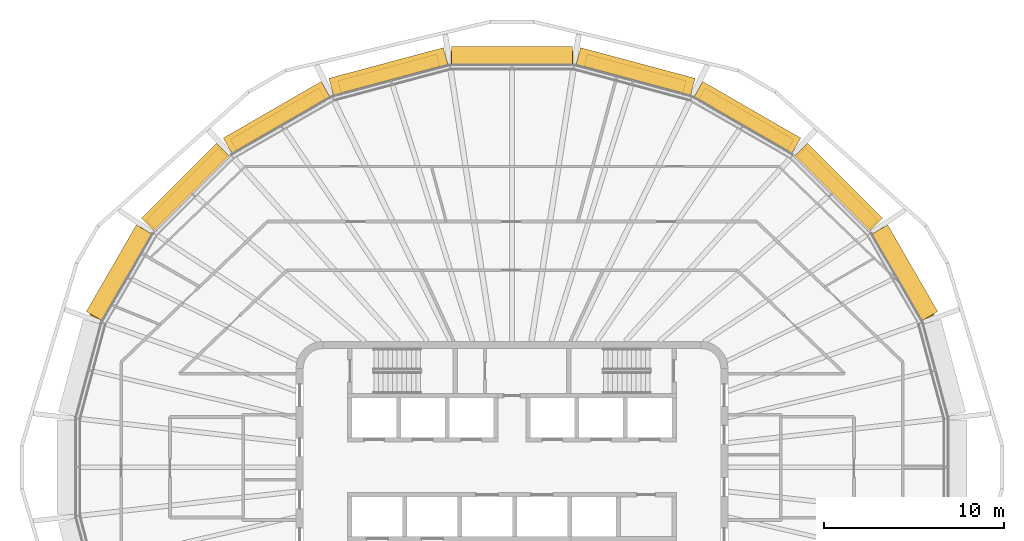
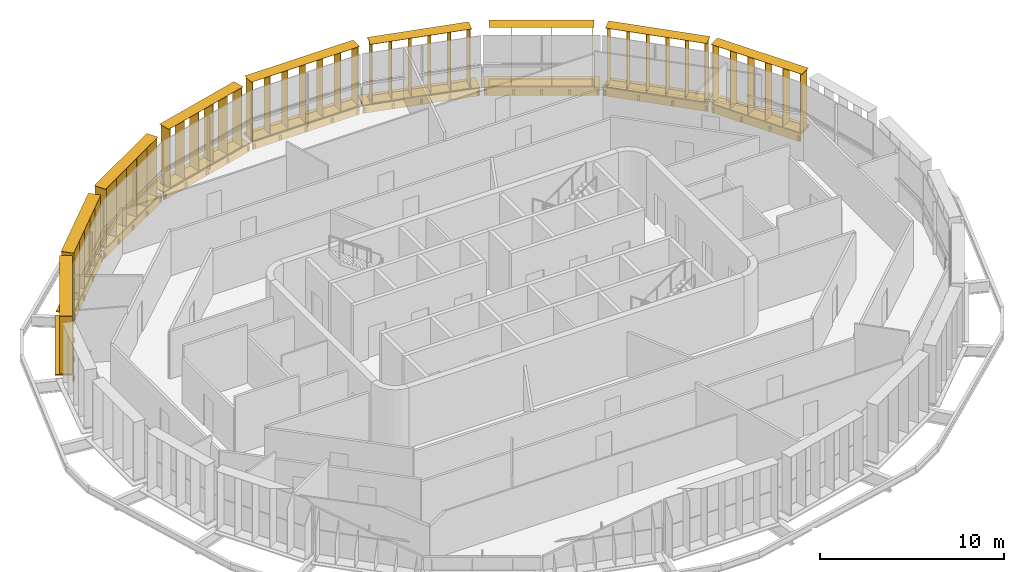
# One storey, part 18 of 18: 18 shading devices.
"""IFC4 building model written with IfcOpenShell, lengths in metres."""

from ifc_helpers import new_model, si_unit, direction, frame, origin, origin_2d, place, context, subcontext, project, spatial, rectangle, extrude, material, type_object, element, save


model = new_model("IFC4")

# Units and contexts
model_context = context("Model", 3, precision=1e-05, world=origin(), true_north=direction((0.0, 1.0)))
body_context = subcontext(model_context, "Body", "Model", "MODEL_VIEW")
ifc_project = project(units=[si_unit("LENGTHUNIT", "METRE"), si_unit("AREAUNIT", "SQUARE_METRE"), si_unit("VOLUMEUNIT", "CUBIC_METRE"), si_unit("PLANEANGLEUNIT", "RADIAN"), si_unit("MASSUNIT", "GRAM", prefix="KILO")], contexts=[model_context])

# Site, building, storey
site_placement = place(None, origin())
site = spatial("IfcSite", under=ifc_project, at=site_placement, CompositionType="ELEMENT")
building_placement = place(site_placement, origin())
building = spatial("IfcBuilding", under=site, at=building_placement, Name="Sahrelin Media Tower", CompositionType="ELEMENT")
storey_placement = place(building_placement, frame((0.0, 0.0, 320.39990234375)))
storey = spatial("IfcBuildingStorey", under=building, at=storey_placement, Name="L71", CompositionType="ELEMENT", Elevation=320.39990234375)

# Shading devices
ifc_material = material(Name="Champagne anodised aluminium 6063-T6", Category="aluminium")
shading_device_type_1 = type_object("IfcShadingDeviceType", Name="Fin cassette", PredefinedType="USERDEFINED", material=ifc_material)
placement_1 = place(storey_placement, frame((21.37451171875, 10.5458984375, 0.0), z_axis=(0.0, 0.0, 1.0), x_axis=(0.500011000363, -0.866019052629, 0.0)))
element("IfcShadingDevice", 1, at=placement_1, inside=storey, type_object=shading_device_type_1, Name="L71:FIN:L71-02", ObjectType="FIN", PredefinedType="USERDEFINED", context=body_context, shape_type="SweptSolid", body=[
    extrude(rectangle(XDim=5.699951171875, YDim=0.699951171875, at=origin_2d()), frame((0.0, 0.419921875, 0.0)), (0.0, 0.0, 1.0), 0.02001953125),
    extrude(rectangle(XDim=5.699951171875, YDim=0.699951171875, at=origin_2d()), frame((0.0, 0.419921875, 3.89990234375)), (0.0, 0.0, 1.0), 0.02001953125),
    extrude(rectangle(XDim=0.02001953125, YDim=0.699951171875, at=origin_2d()), frame((-2.75, 0.419921875, 0.010009765625), z_axis=(0.0, 0.0, 1.0), x_axis=(1.0, 0.0, 0.0)), (0.0, 0.0, 1.0), 3.89990234375),
    extrude(rectangle(XDim=0.02001953125, YDim=0.699951171875, at=origin_2d()), frame((-1.64990234375, 0.419921875, 0.010009765625), z_axis=(0.0, 0.0, 1.0), x_axis=(1.0, 0.0, 0.0)), (0.0, 0.0, 1.0), 3.89990234375),
    extrude(rectangle(XDim=0.02001953125, YDim=0.699951171875, at=origin_2d()), frame((-0.550048828125, 0.419921875, 0.010009765625), z_axis=(0.0, 0.0, 1.0), x_axis=(1.0, 0.0, 0.0)), (0.0, 0.0, 1.0), 3.89990234375),
    extrude(rectangle(XDim=0.02001953125, YDim=0.699951171875, at=origin_2d()), frame((0.550048828125, 0.419921875, 0.010009765625), z_axis=(0.0, 0.0, 1.0), x_axis=(1.0, 0.0, 0.0)), (0.0, 0.0, 1.0), 3.89990234375),
    extrude(rectangle(XDim=0.02001953125, YDim=0.699951171875, at=origin_2d()), frame((1.64990234375, 0.419921875, 0.010009765625), z_axis=(0.0, 0.0, 1.0), x_axis=(1.0, 0.0, 0.0)), (0.0, 0.0, 1.0), 3.89990234375),
    extrude(rectangle(XDim=0.02001953125, YDim=0.699951171875, at=origin_2d()), frame((2.75, 0.419921875, 0.010009765625), z_axis=(0.0, 0.0, 1.0), x_axis=(1.0, 0.0, 0.0)), (0.0, 0.0, 1.0), 3.89990234375),
])
placement_2 = place(storey_placement, frame((17.7783203125, 15.195556640625, 0.0), z_axis=(0.0, 0.0, 1.0), x_axis=(0.707106781187, -0.707106781187, 0.0)))
element("IfcShadingDevice", 2, at=placement_2, inside=storey, type_object=shading_device_type_1, Name="L71:FIN:L71-03", ObjectType="FIN", PredefinedType="USERDEFINED", context=body_context, shape_type="SweptSolid", body=[
    extrude(rectangle(XDim=5.699951171875, YDim=0.699951171875, at=origin_2d()), frame((0.0, 0.419921875, 0.0)), (0.0, 0.0, 1.0), 0.02001953125),
    extrude(rectangle(XDim=5.699951171875, YDim=0.699951171875, at=origin_2d()), frame((0.0, 0.419921875, 3.89990234375)), (0.0, 0.0, 1.0), 0.02001953125),
    extrude(rectangle(XDim=0.02001953125, YDim=0.699951171875, at=origin_2d()), frame((-2.75, 0.419921875, 0.010009765625), z_axis=(0.0, 0.0, 1.0), x_axis=(1.0, 0.0, 0.0)), (0.0, 0.0, 1.0), 3.89990234375),
    extrude(rectangle(XDim=0.02001953125, YDim=0.699951171875, at=origin_2d()), frame((-1.64990234375, 0.419921875, 0.010009765625), z_axis=(0.0, 0.0, 1.0), x_axis=(1.0, 0.0, 0.0)), (0.0, 0.0, 1.0), 3.89990234375),
    extrude(rectangle(XDim=0.02001953125, YDim=0.699951171875, at=origin_2d()), frame((-0.550048828125, 0.419921875, 0.010009765625), z_axis=(0.0, 0.0, 1.0), x_axis=(1.0, 0.0, 0.0)), (0.0, 0.0, 1.0), 3.89990234375),
    extrude(rectangle(XDim=0.02001953125, YDim=0.699951171875, at=origin_2d()), frame((0.550048828125, 0.419921875, 0.010009765625), z_axis=(0.0, 0.0, 1.0), x_axis=(1.0, 0.0, 0.0)), (0.0, 0.0, 1.0), 3.89990234375),
    extrude(rectangle(XDim=0.02001953125, YDim=0.699951171875, at=origin_2d()), frame((1.64990234375, 0.419921875, 0.010009765625), z_axis=(0.0, 0.0, 1.0), x_axis=(1.0, 0.0, 0.0)), (0.0, 0.0, 1.0), 3.89990234375),
    extrude(rectangle(XDim=0.02001953125, YDim=0.699951171875, at=origin_2d()), frame((2.75, 0.419921875, 0.010009765625), z_axis=(0.0, 0.0, 1.0), x_axis=(1.0, 0.0, 0.0)), (0.0, 0.0, 1.0), 3.89990234375),
])
placement_3 = place(storey_placement, frame((12.813720703125, 18.973876953125, 0.0), z_axis=(0.0, 0.0, 1.0), x_axis=(0.866019052629, -0.500011000363, 0.0)))
element("IfcShadingDevice", 3, at=placement_3, inside=storey, type_object=shading_device_type_1, Name="L71:FIN:L71-04", ObjectType="FIN", PredefinedType="USERDEFINED", context=body_context, shape_type="SweptSolid", body=[
    extrude(rectangle(XDim=5.699951171875, YDim=0.699951171875, at=origin_2d()), frame((0.0, 0.419921875, 0.0)), (0.0, 0.0, 1.0), 0.02001953125),
    extrude(rectangle(XDim=5.699951171875, YDim=0.699951171875, at=origin_2d()), frame((0.0, 0.419921875, 3.89990234375)), (0.0, 0.0, 1.0), 0.02001953125),
    extrude(rectangle(XDim=0.02001953125, YDim=0.699951171875, at=origin_2d()), frame((-2.75, 0.419921875, 0.010009765625), z_axis=(0.0, 0.0, 1.0), x_axis=(1.0, 0.0, 0.0)), (0.0, 0.0, 1.0), 3.89990234375),
    extrude(rectangle(XDim=0.02001953125, YDim=0.699951171875, at=origin_2d()), frame((-1.64990234375, 0.419921875, 0.010009765625), z_axis=(0.0, 0.0, 1.0), x_axis=(1.0, 0.0, 0.0)), (0.0, 0.0, 1.0), 3.89990234375),
    extrude(rectangle(XDim=0.02001953125, YDim=0.699951171875, at=origin_2d()), frame((-0.550048828125, 0.419921875, 0.010009765625), z_axis=(0.0, 0.0, 1.0), x_axis=(1.0, 0.0, 0.0)), (0.0, 0.0, 1.0), 3.89990234375),
    extrude(rectangle(XDim=0.02001953125, YDim=0.699951171875, at=origin_2d()), frame((0.550048828125, 0.419921875, 0.010009765625), z_axis=(0.0, 0.0, 1.0), x_axis=(1.0, 0.0, 0.0)), (0.0, 0.0, 1.0), 3.89990234375),
    extrude(rectangle(XDim=0.02001953125, YDim=0.699951171875, at=origin_2d()), frame((1.64990234375, 0.419921875, 0.010009765625), z_axis=(0.0, 0.0, 1.0), x_axis=(1.0, 0.0, 0.0)), (0.0, 0.0, 1.0), 3.89990234375),
    extrude(rectangle(XDim=0.02001953125, YDim=0.699951171875, at=origin_2d()), frame((2.75, 0.419921875, 0.010009765625), z_axis=(0.0, 0.0, 1.0), x_axis=(1.0, 0.0, 0.0)), (0.0, 0.0, 1.0), 3.89990234375),
])
placement_4 = place(storey_placement, frame((6.72900390625, 21.47265625, 0.0), z_axis=(0.0, 0.0, 1.0), x_axis=(0.965928857556, -0.258807731996, 0.0)))
element("IfcShadingDevice", 4, at=placement_4, inside=storey, type_object=shading_device_type_1, Name="L71:FIN:L71-05", ObjectType="FIN", PredefinedType="USERDEFINED", context=body_context, shape_type="SweptSolid", body=[
    extrude(rectangle(XDim=5.699951171875, YDim=0.699951171875, at=origin_2d()), frame((0.0, 0.419921875, 0.0)), (0.0, 0.0, 1.0), 0.02001953125),
    extrude(rectangle(XDim=5.699951171875, YDim=0.699951171875, at=origin_2d()), frame((0.0, 0.419921875, 3.89990234375)), (0.0, 0.0, 1.0), 0.02001953125),
    extrude(rectangle(XDim=0.02001953125, YDim=0.699951171875, at=origin_2d()), frame((-2.75, 0.419921875, 0.010009765625), z_axis=(0.0, 0.0, 1.0), x_axis=(1.0, 0.0, 0.0)), (0.0, 0.0, 1.0), 3.89990234375),
    extrude(rectangle(XDim=0.02001953125, YDim=0.699951171875, at=origin_2d()), frame((-1.64990234375, 0.419921875, 0.010009765625), z_axis=(0.0, 0.0, 1.0), x_axis=(1.0, 0.0, 0.0)), (0.0, 0.0, 1.0), 3.89990234375),
    extrude(rectangle(XDim=0.02001953125, YDim=0.699951171875, at=origin_2d()), frame((-0.550048828125, 0.419921875, 0.010009765625), z_axis=(0.0, 0.0, 1.0), x_axis=(1.0, 0.0, 0.0)), (0.0, 0.0, 1.0), 3.89990234375),
    extrude(rectangle(XDim=0.02001953125, YDim=0.699951171875, at=origin_2d()), frame((0.550048828125, 0.419921875, 0.010009765625), z_axis=(0.0, 0.0, 1.0), x_axis=(1.0, 0.0, 0.0)), (0.0, 0.0, 1.0), 3.89990234375),
    extrude(rectangle(XDim=0.02001953125, YDim=0.699951171875, at=origin_2d()), frame((1.64990234375, 0.419921875, 0.010009765625), z_axis=(0.0, 0.0, 1.0), x_axis=(1.0, 0.0, 0.0)), (0.0, 0.0, 1.0), 3.89990234375),
    extrude(rectangle(XDim=0.02001953125, YDim=0.699951171875, at=origin_2d()), frame((2.75, 0.419921875, 0.010009765625), z_axis=(0.0, 0.0, 1.0), x_axis=(1.0, 0.0, 0.0)), (0.0, 0.0, 1.0), 3.89990234375),
])
placement_5 = place(storey_placement, frame((0.0, 22.350830078125, 0.0), z_axis=(0.0, 0.0, 1.0), x_axis=(1.0, 0.0, 0.0)))
element("IfcShadingDevice", 5, at=placement_5, inside=storey, type_object=shading_device_type_1, Name="L71:FIN:L71-06", ObjectType="FIN", PredefinedType="USERDEFINED", context=body_context, shape_type="SweptSolid", body=[
    extrude(rectangle(XDim=6.800048828125, YDim=0.699951171875, at=origin_2d()), frame((0.0, 0.419921875, 0.0)), (0.0, 0.0, 1.0), 0.02001953125),
    extrude(rectangle(XDim=6.800048828125, YDim=0.699951171875, at=origin_2d()), frame((0.0, 0.419921875, 3.89990234375)), (0.0, 0.0, 1.0), 0.02001953125),
    extrude(rectangle(XDim=0.02001953125, YDim=0.699951171875, at=origin_2d()), frame((-3.300048828125, 0.419921875, 0.010009765625), z_axis=(0.0, 0.0, 1.0), x_axis=(1.0, 0.0, 0.0)), (0.0, 0.0, 1.0), 3.89990234375),
    extrude(rectangle(XDim=0.02001953125, YDim=0.699951171875, at=origin_2d()), frame((-2.199951171875, 0.419921875, 0.010009765625), z_axis=(0.0, 0.0, 1.0), x_axis=(1.0, 0.0, 0.0)), (0.0, 0.0, 1.0), 3.89990234375),
    extrude(rectangle(XDim=0.02001953125, YDim=0.699951171875, at=origin_2d()), frame((-1.10009765625, 0.419921875, 0.010009765625), z_axis=(0.0, 0.0, 1.0), x_axis=(1.0, 0.0, 0.0)), (0.0, 0.0, 1.0), 3.89990234375),
    extrude(rectangle(XDim=0.02001953125, YDim=0.699951171875, at=origin_2d()), frame((0.0, 0.419921875, 0.010009765625), z_axis=(0.0, 0.0, 1.0), x_axis=(1.0, 0.0, 0.0)), (0.0, 0.0, 1.0), 3.89990234375),
    extrude(rectangle(XDim=0.02001953125, YDim=0.699951171875, at=origin_2d()), frame((1.10009765625, 0.419921875, 0.010009765625), z_axis=(0.0, 0.0, 1.0), x_axis=(1.0, 0.0, 0.0)), (0.0, 0.0, 1.0), 3.89990234375),
    extrude(rectangle(XDim=0.02001953125, YDim=0.699951171875, at=origin_2d()), frame((2.199951171875, 0.419921875, 0.010009765625), z_axis=(0.0, 0.0, 1.0), x_axis=(1.0, 0.0, 0.0)), (0.0, 0.0, 1.0), 3.89990234375),
    extrude(rectangle(XDim=0.02001953125, YDim=0.699951171875, at=origin_2d()), frame((3.300048828125, 0.419921875, 0.010009765625), z_axis=(0.0, 0.0, 1.0), x_axis=(1.0, 0.0, 0.0)), (0.0, 0.0, 1.0), 3.89990234375),
])
placement_6 = place(storey_placement, frame((-6.72900390625, 21.47265625, 0.0), z_axis=(0.0, 0.0, 1.0), x_axis=(0.965928857556, 0.258807731996, 0.0)))
element("IfcShadingDevice", 6, at=placement_6, inside=storey, type_object=shading_device_type_1, Name="L71:FIN:L71-07", ObjectType="FIN", PredefinedType="USERDEFINED", context=body_context, shape_type="SweptSolid", body=[
    extrude(rectangle(XDim=5.699951171875, YDim=0.699951171875, at=origin_2d()), frame((0.0, 0.419921875, 0.0)), (0.0, 0.0, 1.0), 0.02001953125),
    extrude(rectangle(XDim=5.699951171875, YDim=0.699951171875, at=origin_2d()), frame((0.0, 0.419921875, 3.89990234375)), (0.0, 0.0, 1.0), 0.02001953125),
    extrude(rectangle(XDim=0.02001953125, YDim=0.699951171875, at=origin_2d()), frame((-2.75, 0.419921875, 0.010009765625), z_axis=(0.0, 0.0, 1.0), x_axis=(1.0, 0.0, 0.0)), (0.0, 0.0, 1.0), 3.89990234375),
    extrude(rectangle(XDim=0.02001953125, YDim=0.699951171875, at=origin_2d()), frame((-1.64990234375, 0.419921875, 0.010009765625), z_axis=(0.0, 0.0, 1.0), x_axis=(1.0, 0.0, 0.0)), (0.0, 0.0, 1.0), 3.89990234375),
    extrude(rectangle(XDim=0.02001953125, YDim=0.699951171875, at=origin_2d()), frame((-0.550048828125, 0.419921875, 0.010009765625), z_axis=(0.0, 0.0, 1.0), x_axis=(1.0, 0.0, 0.0)), (0.0, 0.0, 1.0), 3.89990234375),
    extrude(rectangle(XDim=0.02001953125, YDim=0.699951171875, at=origin_2d()), frame((0.550048828125, 0.419921875, 0.010009765625), z_axis=(0.0, 0.0, 1.0), x_axis=(1.0, 0.0, 0.0)), (0.0, 0.0, 1.0), 3.89990234375),
    extrude(rectangle(XDim=0.02001953125, YDim=0.699951171875, at=origin_2d()), frame((1.64990234375, 0.419921875, 0.010009765625), z_axis=(0.0, 0.0, 1.0), x_axis=(1.0, 0.0, 0.0)), (0.0, 0.0, 1.0), 3.89990234375),
    extrude(rectangle(XDim=0.02001953125, YDim=0.699951171875, at=origin_2d()), frame((2.75, 0.419921875, 0.010009765625), z_axis=(0.0, 0.0, 1.0), x_axis=(1.0, 0.0, 0.0)), (0.0, 0.0, 1.0), 3.89990234375),
])
placement_7 = place(storey_placement, frame((-12.813720703125, 18.9736328125, 0.0), z_axis=(0.0, 0.0, 1.0), x_axis=(0.866019052629, 0.500011000363, 0.0)))
element("IfcShadingDevice", 7, at=placement_7, inside=storey, type_object=shading_device_type_1, Name="L71:FIN:L71-08", ObjectType="FIN", PredefinedType="USERDEFINED", context=body_context, shape_type="SweptSolid", body=[
    extrude(rectangle(XDim=5.699951171875, YDim=0.699951171875, at=origin_2d()), frame((0.0, 0.419921875, 0.0)), (0.0, 0.0, 1.0), 0.02001953125),
    extrude(rectangle(XDim=5.699951171875, YDim=0.699951171875, at=origin_2d()), frame((0.0, 0.419921875, 3.89990234375)), (0.0, 0.0, 1.0), 0.02001953125),
    extrude(rectangle(XDim=0.02001953125, YDim=0.699951171875, at=origin_2d()), frame((-2.75, 0.419921875, 0.010009765625), z_axis=(0.0, 0.0, 1.0), x_axis=(1.0, 0.0, 0.0)), (0.0, 0.0, 1.0), 3.89990234375),
    extrude(rectangle(XDim=0.02001953125, YDim=0.699951171875, at=origin_2d()), frame((-1.64990234375, 0.419921875, 0.010009765625), z_axis=(0.0, 0.0, 1.0), x_axis=(1.0, 0.0, 0.0)), (0.0, 0.0, 1.0), 3.89990234375),
    extrude(rectangle(XDim=0.02001953125, YDim=0.699951171875, at=origin_2d()), frame((-0.550048828125, 0.419921875, 0.010009765625), z_axis=(0.0, 0.0, 1.0), x_axis=(1.0, 0.0, 0.0)), (0.0, 0.0, 1.0), 3.89990234375),
    extrude(rectangle(XDim=0.02001953125, YDim=0.699951171875, at=origin_2d()), frame((0.550048828125, 0.419921875, 0.010009765625), z_axis=(0.0, 0.0, 1.0), x_axis=(1.0, 0.0, 0.0)), (0.0, 0.0, 1.0), 3.89990234375),
    extrude(rectangle(XDim=0.02001953125, YDim=0.699951171875, at=origin_2d()), frame((1.64990234375, 0.419921875, 0.010009765625), z_axis=(0.0, 0.0, 1.0), x_axis=(1.0, 0.0, 0.0)), (0.0, 0.0, 1.0), 3.89990234375),
    extrude(rectangle(XDim=0.02001953125, YDim=0.699951171875, at=origin_2d()), frame((2.75, 0.419921875, 0.010009765625), z_axis=(0.0, 0.0, 1.0), x_axis=(1.0, 0.0, 0.0)), (0.0, 0.0, 1.0), 3.89990234375),
])
placement_8 = place(storey_placement, frame((-17.7783203125, 15.195556640625, 0.0), z_axis=(0.0, 0.0, 1.0), x_axis=(0.707106781187, 0.707106781187, 0.0)))
element("IfcShadingDevice", 8, at=placement_8, inside=storey, type_object=shading_device_type_1, Name="L71:FIN:L71-09", ObjectType="FIN", PredefinedType="USERDEFINED", context=body_context, shape_type="SweptSolid", body=[
    extrude(rectangle(XDim=5.699951171875, YDim=0.699951171875, at=origin_2d()), frame((0.0, 0.419921875, 0.0)), (0.0, 0.0, 1.0), 0.02001953125),
    extrude(rectangle(XDim=5.699951171875, YDim=0.699951171875, at=origin_2d()), frame((0.0, 0.419921875, 3.89990234375)), (0.0, 0.0, 1.0), 0.02001953125),
    extrude(rectangle(XDim=0.02001953125, YDim=0.699951171875, at=origin_2d()), frame((-2.75, 0.419921875, 0.010009765625), z_axis=(0.0, 0.0, 1.0), x_axis=(1.0, 0.0, 0.0)), (0.0, 0.0, 1.0), 3.89990234375),
    extrude(rectangle(XDim=0.02001953125, YDim=0.699951171875, at=origin_2d()), frame((-1.64990234375, 0.419921875, 0.010009765625), z_axis=(0.0, 0.0, 1.0), x_axis=(1.0, 0.0, 0.0)), (0.0, 0.0, 1.0), 3.89990234375),
    extrude(rectangle(XDim=0.02001953125, YDim=0.699951171875, at=origin_2d()), frame((-0.550048828125, 0.419921875, 0.010009765625), z_axis=(0.0, 0.0, 1.0), x_axis=(1.0, 0.0, 0.0)), (0.0, 0.0, 1.0), 3.89990234375),
    extrude(rectangle(XDim=0.02001953125, YDim=0.699951171875, at=origin_2d()), frame((0.550048828125, 0.419921875, 0.010009765625), z_axis=(0.0, 0.0, 1.0), x_axis=(1.0, 0.0, 0.0)), (0.0, 0.0, 1.0), 3.89990234375),
    extrude(rectangle(XDim=0.02001953125, YDim=0.699951171875, at=origin_2d()), frame((1.64990234375, 0.419921875, 0.010009765625), z_axis=(0.0, 0.0, 1.0), x_axis=(1.0, 0.0, 0.0)), (0.0, 0.0, 1.0), 3.89990234375),
    extrude(rectangle(XDim=0.02001953125, YDim=0.699951171875, at=origin_2d()), frame((2.75, 0.419921875, 0.010009765625), z_axis=(0.0, 0.0, 1.0), x_axis=(1.0, 0.0, 0.0)), (0.0, 0.0, 1.0), 3.89990234375),
])
placement_9 = place(storey_placement, frame((-21.374755859375, 10.5458984375, 0.0), z_axis=(0.0, 0.0, 1.0), x_axis=(0.500011000363, 0.866019052629, 0.0)))
element("IfcShadingDevice", 9, at=placement_9, inside=storey, type_object=shading_device_type_1, Name="L71:FIN:L71-10", ObjectType="FIN", PredefinedType="USERDEFINED", context=body_context, shape_type="SweptSolid", body=[
    extrude(rectangle(XDim=5.699951171875, YDim=0.699951171875, at=origin_2d()), frame((0.0, 0.419921875, 0.0)), (0.0, 0.0, 1.0), 0.02001953125),
    extrude(rectangle(XDim=5.699951171875, YDim=0.699951171875, at=origin_2d()), frame((0.0, 0.419921875, 3.89990234375)), (0.0, 0.0, 1.0), 0.02001953125),
    extrude(rectangle(XDim=0.02001953125, YDim=0.699951171875, at=origin_2d()), frame((-2.75, 0.419921875, 0.010009765625), z_axis=(0.0, 0.0, 1.0), x_axis=(1.0, 0.0, 0.0)), (0.0, 0.0, 1.0), 3.89990234375),
    extrude(rectangle(XDim=0.02001953125, YDim=0.699951171875, at=origin_2d()), frame((-1.64990234375, 0.419921875, 0.010009765625), z_axis=(0.0, 0.0, 1.0), x_axis=(1.0, 0.0, 0.0)), (0.0, 0.0, 1.0), 3.89990234375),
    extrude(rectangle(XDim=0.02001953125, YDim=0.699951171875, at=origin_2d()), frame((-0.550048828125, 0.419921875, 0.010009765625), z_axis=(0.0, 0.0, 1.0), x_axis=(1.0, 0.0, 0.0)), (0.0, 0.0, 1.0), 3.89990234375),
    extrude(rectangle(XDim=0.02001953125, YDim=0.699951171875, at=origin_2d()), frame((0.550048828125, 0.419921875, 0.010009765625), z_axis=(0.0, 0.0, 1.0), x_axis=(1.0, 0.0, 0.0)), (0.0, 0.0, 1.0), 3.89990234375),
    extrude(rectangle(XDim=0.02001953125, YDim=0.699951171875, at=origin_2d()), frame((1.64990234375, 0.419921875, 0.010009765625), z_axis=(0.0, 0.0, 1.0), x_axis=(1.0, 0.0, 0.0)), (0.0, 0.0, 1.0), 3.89990234375),
    extrude(rectangle(XDim=0.02001953125, YDim=0.699951171875, at=origin_2d()), frame((2.75, 0.419921875, 0.010009765625), z_axis=(0.0, 0.0, 1.0), x_axis=(1.0, 0.0, 0.0)), (0.0, 0.0, 1.0), 3.89990234375),
])
shading_device_type_2 = type_object("IfcShadingDeviceType", Name="Sunshade band", PredefinedType="USERDEFINED", material=ifc_material)
element("IfcShadingDevice", 10, at=placement_1, inside=storey, type_object=shading_device_type_2, Name="L71:SUN:L71-02", ObjectType="SUNSHADE", PredefinedType="USERDEFINED", context=body_context, shape_type="SweptSolid", body=[
    extrude(rectangle(XDim=5.5556640625, YDim=0.050048828125, at=origin_2d()), frame((0.0, 0.044921875, -0.55126953125)), (0.0, 0.0, 1.0), 0.471435546875),
    extrude(rectangle(XDim=5.5556640625, YDim=1.0, at=origin_2d()), frame((0.0, 0.52001953125, -0.080078125)), (0.0, 0.0, 1.0), 0.080078125),
    extrude(rectangle(XDim=0.10009765625, YDim=0.074951171875, at=origin_2d()), frame((-2.677978515625, -0.017578125, -0.47021484375)), (0.0, 0.0, 1.0), 0.300048828125),
    extrude(rectangle(XDim=0.10009765625, YDim=0.074951171875, at=origin_2d()), frame((-0.892578125, -0.017578125, -0.47021484375)), (0.0, 0.0, 1.0), 0.300048828125),
    extrude(rectangle(XDim=0.10009765625, YDim=0.074951171875, at=origin_2d()), frame((0.892578125, -0.017578125, -0.47021484375)), (0.0, 0.0, 1.0), 0.300048828125),
    extrude(rectangle(XDim=0.10009765625, YDim=0.074951171875, at=origin_2d()), frame((2.677978515625, -0.017578125, -0.47021484375)), (0.0, 0.0, 1.0), 0.300048828125),
])
element("IfcShadingDevice", 11, at=placement_2, inside=storey, type_object=shading_device_type_2, Name="L71:SUN:L71-03", ObjectType="SUNSHADE", PredefinedType="USERDEFINED", context=body_context, shape_type="SweptSolid", body=[
    extrude(rectangle(XDim=5.902099609375, YDim=0.050048828125, at=origin_2d()), frame((0.0, 0.044921875, -0.55126953125)), (0.0, 0.0, 1.0), 0.471435546875),
    extrude(rectangle(XDim=5.902099609375, YDim=1.0, at=origin_2d()), frame((0.0, 0.52001953125, -0.080078125)), (0.0, 0.0, 1.0), 0.080078125),
    extrude(rectangle(XDim=0.10009765625, YDim=0.074951171875, at=origin_2d()), frame((-2.85107421875, -0.017578125, -0.47021484375)), (0.0, 0.0, 1.0), 0.300048828125),
    extrude(rectangle(XDim=0.10009765625, YDim=0.074951171875, at=origin_2d()), frame((-0.950439453125, -0.017578125, -0.47021484375)), (0.0, 0.0, 1.0), 0.300048828125),
    extrude(rectangle(XDim=0.10009765625, YDim=0.074951171875, at=origin_2d()), frame((0.950439453125, -0.017578125, -0.47021484375)), (0.0, 0.0, 1.0), 0.300048828125),
    extrude(rectangle(XDim=0.10009765625, YDim=0.074951171875, at=origin_2d()), frame((2.85107421875, -0.017578125, -0.47021484375)), (0.0, 0.0, 1.0), 0.300048828125),
])
element("IfcShadingDevice", 12, at=placement_3, inside=storey, type_object=shading_device_type_2, Name="L71:SUN:L71-04", ObjectType="SUNSHADE", PredefinedType="USERDEFINED", context=body_context, shape_type="SweptSolid", body=[
    extrude(rectangle(XDim=6.282958984375, YDim=0.050048828125, at=origin_2d()), frame((0.0, 0.044921875, -0.55126953125)), (0.0, 0.0, 1.0), 0.471435546875),
    extrude(rectangle(XDim=6.282958984375, YDim=1.0, at=origin_2d()), frame((0.0, 0.52001953125, -0.080078125)), (0.0, 0.0, 1.0), 0.080078125),
    extrude(rectangle(XDim=0.10009765625, YDim=0.074951171875, at=origin_2d()), frame((-3.04150390625, -0.017578125, -0.47021484375)), (0.0, 0.0, 1.0), 0.300048828125),
    extrude(rectangle(XDim=0.10009765625, YDim=0.074951171875, at=origin_2d()), frame((-1.520751953125, -0.017578125, -0.47021484375)), (0.0, 0.0, 1.0), 0.300048828125),
    extrude(rectangle(XDim=0.10009765625, YDim=0.074951171875, at=origin_2d()), frame((0.0, -0.017578125, -0.47021484375)), (0.0, 0.0, 1.0), 0.300048828125),
    extrude(rectangle(XDim=0.10009765625, YDim=0.074951171875, at=origin_2d()), frame((1.520751953125, -0.017578125, -0.47021484375)), (0.0, 0.0, 1.0), 0.300048828125),
    extrude(rectangle(XDim=0.10009765625, YDim=0.074951171875, at=origin_2d()), frame((3.04150390625, -0.017578125, -0.47021484375)), (0.0, 0.0, 1.0), 0.300048828125),
])
element("IfcShadingDevice", 13, at=placement_4, inside=storey, type_object=shading_device_type_2, Name="L71:SUN:L71-05", ObjectType="SUNSHADE", PredefinedType="USERDEFINED", context=body_context, shape_type="SweptSolid", body=[
    extrude(rectangle(XDim=6.586181640625, YDim=0.050048828125, at=origin_2d()), frame((0.0, 0.044921875, -0.55126953125)), (0.0, 0.0, 1.0), 0.471435546875),
    extrude(rectangle(XDim=6.586181640625, YDim=1.0, at=origin_2d()), frame((0.0, 0.52001953125, -0.080078125)), (0.0, 0.0, 1.0), 0.080078125),
    extrude(rectangle(XDim=0.10009765625, YDim=0.074951171875, at=origin_2d()), frame((-3.193115234375, -0.017578125, -0.47021484375)), (0.0, 0.0, 1.0), 0.300048828125),
    extrude(rectangle(XDim=0.10009765625, YDim=0.074951171875, at=origin_2d()), frame((-1.5966796875, -0.017578125, -0.47021484375)), (0.0, 0.0, 1.0), 0.300048828125),
    extrude(rectangle(XDim=0.10009765625, YDim=0.074951171875, at=origin_2d()), frame((0.0, -0.017578125, -0.47021484375)), (0.0, 0.0, 1.0), 0.300048828125),
    extrude(rectangle(XDim=0.10009765625, YDim=0.074951171875, at=origin_2d()), frame((1.5966796875, -0.017578125, -0.47021484375)), (0.0, 0.0, 1.0), 0.300048828125),
    extrude(rectangle(XDim=0.10009765625, YDim=0.074951171875, at=origin_2d()), frame((3.193115234375, -0.017578125, -0.47021484375)), (0.0, 0.0, 1.0), 0.300048828125),
])
element("IfcShadingDevice", 14, at=placement_5, inside=storey, type_object=shading_device_type_2, Name="L71:SUN:L71-06", ObjectType="SUNSHADE", PredefinedType="USERDEFINED", context=body_context, shape_type="SweptSolid", body=[
    extrude(rectangle(XDim=6.702880859375, YDim=0.050048828125, at=origin_2d()), frame((0.0, 0.044921875, -0.55126953125)), (0.0, 0.0, 1.0), 0.471435546875),
    extrude(rectangle(XDim=6.702880859375, YDim=1.0, at=origin_2d()), frame((0.0, 0.52001953125, -0.080078125)), (0.0, 0.0, 1.0), 0.080078125),
    extrude(rectangle(XDim=0.10009765625, YDim=0.074951171875, at=origin_2d()), frame((-3.25146484375, -0.017578125, -0.47021484375)), (0.0, 0.0, 1.0), 0.300048828125),
    extrude(rectangle(XDim=0.10009765625, YDim=0.074951171875, at=origin_2d()), frame((-1.625732421875, -0.017578125, -0.47021484375)), (0.0, 0.0, 1.0), 0.300048828125),
    extrude(rectangle(XDim=0.10009765625, YDim=0.074951171875, at=origin_2d()), frame((0.0, -0.017578125, -0.47021484375)), (0.0, 0.0, 1.0), 0.300048828125),
    extrude(rectangle(XDim=0.10009765625, YDim=0.074951171875, at=origin_2d()), frame((1.625732421875, -0.017578125, -0.47021484375)), (0.0, 0.0, 1.0), 0.300048828125),
    extrude(rectangle(XDim=0.10009765625, YDim=0.074951171875, at=origin_2d()), frame((3.25146484375, -0.017578125, -0.47021484375)), (0.0, 0.0, 1.0), 0.300048828125),
])
element("IfcShadingDevice", 15, at=placement_6, inside=storey, type_object=shading_device_type_2, Name="L71:SUN:L71-07", ObjectType="SUNSHADE", PredefinedType="USERDEFINED", context=body_context, shape_type="SweptSolid", body=[
    extrude(rectangle(XDim=6.586181640625, YDim=0.050048828125, at=origin_2d()), frame((0.0, 0.044921875, -0.55126953125)), (0.0, 0.0, 1.0), 0.471435546875),
    extrude(rectangle(XDim=6.586181640625, YDim=1.0, at=origin_2d()), frame((0.0, 0.52001953125, -0.080078125)), (0.0, 0.0, 1.0), 0.080078125),
    extrude(rectangle(XDim=0.10009765625, YDim=0.074951171875, at=origin_2d()), frame((-3.193115234375, -0.017578125, -0.47021484375)), (0.0, 0.0, 1.0), 0.300048828125),
    extrude(rectangle(XDim=0.10009765625, YDim=0.074951171875, at=origin_2d()), frame((-1.5966796875, -0.017578125, -0.47021484375)), (0.0, 0.0, 1.0), 0.300048828125),
    extrude(rectangle(XDim=0.10009765625, YDim=0.074951171875, at=origin_2d()), frame((0.0, -0.017578125, -0.47021484375)), (0.0, 0.0, 1.0), 0.300048828125),
    extrude(rectangle(XDim=0.10009765625, YDim=0.074951171875, at=origin_2d()), frame((1.5966796875, -0.017578125, -0.47021484375)), (0.0, 0.0, 1.0), 0.300048828125),
    extrude(rectangle(XDim=0.10009765625, YDim=0.074951171875, at=origin_2d()), frame((3.193115234375, -0.017578125, -0.47021484375)), (0.0, 0.0, 1.0), 0.300048828125),
])
element("IfcShadingDevice", 16, at=placement_7, inside=storey, type_object=shading_device_type_2, Name="L71:SUN:L71-08", ObjectType="SUNSHADE", PredefinedType="USERDEFINED", context=body_context, shape_type="SweptSolid", body=[
    extrude(rectangle(XDim=6.282958984375, YDim=0.050048828125, at=origin_2d()), frame((0.0, 0.044921875, -0.55126953125)), (0.0, 0.0, 1.0), 0.471435546875),
    extrude(rectangle(XDim=6.282958984375, YDim=1.0, at=origin_2d()), frame((0.0, 0.52001953125, -0.080078125)), (0.0, 0.0, 1.0), 0.080078125),
    extrude(rectangle(XDim=0.10009765625, YDim=0.074951171875, at=origin_2d()), frame((-3.04150390625, -0.017578125, -0.47021484375)), (0.0, 0.0, 1.0), 0.300048828125),
    extrude(rectangle(XDim=0.10009765625, YDim=0.074951171875, at=origin_2d()), frame((-1.520751953125, -0.017578125, -0.47021484375)), (0.0, 0.0, 1.0), 0.300048828125),
    extrude(rectangle(XDim=0.10009765625, YDim=0.074951171875, at=origin_2d()), frame((0.0, -0.017578125, -0.47021484375)), (0.0, 0.0, 1.0), 0.300048828125),
    extrude(rectangle(XDim=0.10009765625, YDim=0.074951171875, at=origin_2d()), frame((1.520751953125, -0.017578125, -0.47021484375)), (0.0, 0.0, 1.0), 0.300048828125),
    extrude(rectangle(XDim=0.10009765625, YDim=0.074951171875, at=origin_2d()), frame((3.04150390625, -0.017578125, -0.47021484375)), (0.0, 0.0, 1.0), 0.300048828125),
])
element("IfcShadingDevice", 17, at=placement_8, inside=storey, type_object=shading_device_type_2, Name="L71:SUN:L71-09", ObjectType="SUNSHADE", PredefinedType="USERDEFINED", context=body_context, shape_type="SweptSolid", body=[
    extrude(rectangle(XDim=5.902099609375, YDim=0.050048828125, at=origin_2d()), frame((0.0, 0.044921875, -0.55126953125)), (0.0, 0.0, 1.0), 0.471435546875),
    extrude(rectangle(XDim=5.902099609375, YDim=1.0, at=origin_2d()), frame((0.0, 0.52001953125, -0.080078125)), (0.0, 0.0, 1.0), 0.080078125),
    extrude(rectangle(XDim=0.10009765625, YDim=0.074951171875, at=origin_2d()), frame((-2.85107421875, -0.017578125, -0.47021484375)), (0.0, 0.0, 1.0), 0.300048828125),
    extrude(rectangle(XDim=0.10009765625, YDim=0.074951171875, at=origin_2d()), frame((-0.950439453125, -0.017578125, -0.47021484375)), (0.0, 0.0, 1.0), 0.300048828125),
    extrude(rectangle(XDim=0.10009765625, YDim=0.074951171875, at=origin_2d()), frame((0.950439453125, -0.017578125, -0.47021484375)), (0.0, 0.0, 1.0), 0.300048828125),
    extrude(rectangle(XDim=0.10009765625, YDim=0.074951171875, at=origin_2d()), frame((2.85107421875, -0.017578125, -0.47021484375)), (0.0, 0.0, 1.0), 0.300048828125),
])
element("IfcShadingDevice", 18, at=placement_9, inside=storey, type_object=shading_device_type_2, Name="L71:SUN:L71-10", ObjectType="SUNSHADE", PredefinedType="USERDEFINED", context=body_context, shape_type="SweptSolid", body=[
    extrude(rectangle(XDim=5.5556640625, YDim=0.050048828125, at=origin_2d()), frame((0.0, 0.044921875, -0.55126953125)), (0.0, 0.0, 1.0), 0.471435546875),
    extrude(rectangle(XDim=5.5556640625, YDim=1.0, at=origin_2d()), frame((0.0, 0.52001953125, -0.080078125)), (0.0, 0.0, 1.0), 0.080078125),
    extrude(rectangle(XDim=0.10009765625, YDim=0.074951171875, at=origin_2d()), frame((-2.677978515625, -0.017578125, -0.47021484375)), (0.0, 0.0, 1.0), 0.300048828125),
    extrude(rectangle(XDim=0.10009765625, YDim=0.074951171875, at=origin_2d()), frame((-0.892578125, -0.017578125, -0.47021484375)), (0.0, 0.0, 1.0), 0.300048828125),
    extrude(rectangle(XDim=0.10009765625, YDim=0.074951171875, at=origin_2d()), frame((0.892578125, -0.017578125, -0.47021484375)), (0.0, 0.0, 1.0), 0.300048828125),
    extrude(rectangle(XDim=0.10009765625, YDim=0.074951171875, at=origin_2d()), frame((2.677978515625, -0.017578125, -0.47021484375)), (0.0, 0.0, 1.0), 0.300048828125),
])

save(model, "model.ifc")
